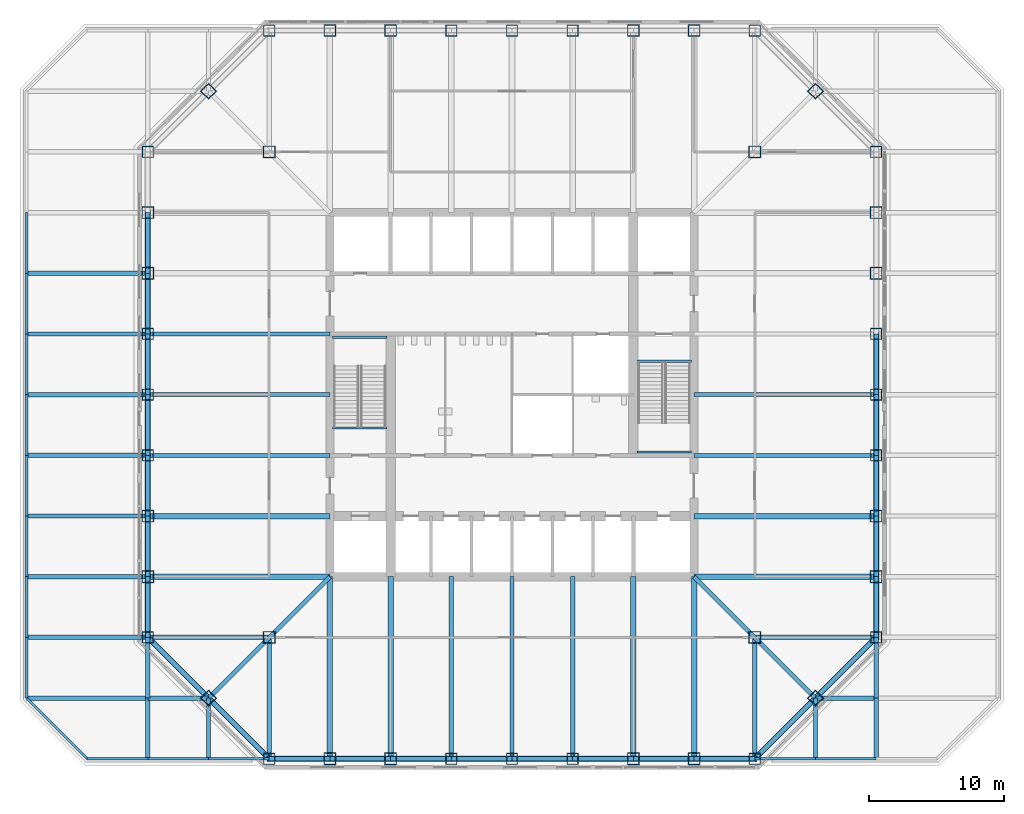
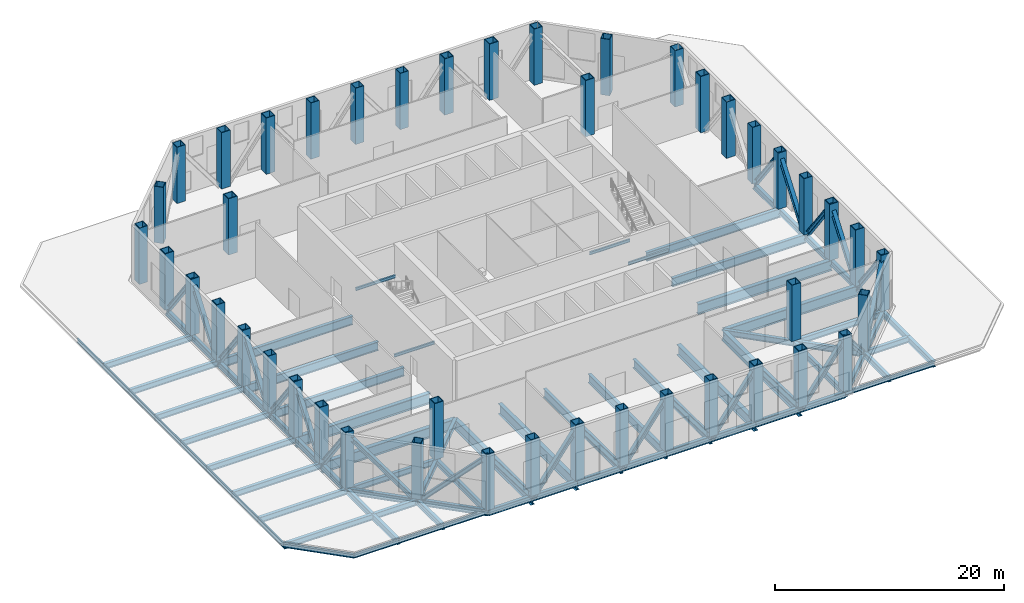
# One storey, part 1 of 10: 82 beams, 44 columns, 24 members.
"""IFC4 building model written with IfcOpenShell, lengths in metres."""

from ifc_helpers import new_model, si_unit, direction, frame, origin, origin_2d, place, context, subcontext, project, spatial, hollow_rectangle, i_section, extrude, material, material_profile, profile_set, type_object, element, save


model = new_model("IFC4")

# Units and contexts
model_context = context("Model", 3, precision=1e-05, world=origin(), true_north=direction((0.0, 1.0)))
body_context = subcontext(model_context, "Body", "Model", "MODEL_VIEW")
ifc_project = project(units=[si_unit("LENGTHUNIT", "METRE"), si_unit("AREAUNIT", "SQUARE_METRE"), si_unit("VOLUMEUNIT", "CUBIC_METRE"), si_unit("PLANEANGLEUNIT", "RADIAN"), si_unit("MASSUNIT", "GRAM", prefix="KILO")], contexts=[model_context])

# Site, building, storey
site_placement = place(None, origin())
site = spatial("IfcSite", under=ifc_project, at=site_placement, CompositionType="ELEMENT")
building_placement = place(site_placement, origin())
building = spatial("IfcBuilding", under=site, at=building_placement, Name="Corais Broadcast Tower", CompositionType="ELEMENT")
storey_placement = place(building_placement, frame((0.0, 0.0, 23.0)))
storey = spatial("IfcBuildingStorey", under=building, at=storey_placement, Name="L04", CompositionType="ELEMENT", Elevation=23.0)

# Columns
ifc_material_1 = material(Name="Steel ASTM A572 Grade 50", Category="steel")
ifc_material_profile_1 = material_profile(ifc_material_1, hollow_rectangle(XDim=0.85009765625, YDim=0.85009765625, WallThickness=0.050048828125, at=origin_2d()), Name="BOX 850x850x50")
ifc_profile_set_1 = profile_set([ifc_material_profile_1], Name="Steel ASTM A572 Grade 50")
column_type_1 = type_object("IfcColumnType", Name="Column BOX 850x850x50", PredefinedType="COLUMN", material=ifc_profile_set_1)
for number, where, z_axis, x_axis, name in (
    (1, (9.0, 0.0, 0.0), (0.0, 0.0, 1.0), (1.0, 0.0, 0.0), "C1 A/5"),
    (2, (22.5, 0.0, 0.0), (0.0, 0.0, 1.0), (1.0, 0.0, 0.0), "C1 A/8"),
    (3, (27.0, 0.0, 0.0), (0.0, 0.0, 1.0), (1.0, 0.0, 0.0), "C1 A/9"),
    (4, (31.5, 0.0, 0.0), (0.0, 0.0, 1.0), (1.0, 0.0, 0.0), "C1 A/10"),
    (5, (45.0, 0.0, 0.0), (0.0, 0.0, 1.0), (1.0, 0.0, 0.0), "C1 A/13"),
    (6, (54.0, 9.0, 0.0), (0.0, 0.0, 1.0), (1.0, 0.0, 0.0), "C1 C/15"),
    (7, (54.0, 22.5, 0.0), (0.0, 0.0, 1.0), (1.0, 0.0, 0.0), "C1 F/15"),
    (8, (54.0, 27.0, 0.0), (0.0, 0.0, 1.0), (1.0, 0.0, 0.0), "C1 G/15"),
    (9, (54.0, 31.5, 0.0), (0.0, 0.0, 1.0), (1.0, 0.0, 0.0), "C1 H/15"),
    (10, (54.0, 45.0, 0.0), (0.0, 0.0, 1.0), (1.0, 0.0, 0.0), "C1 L/15"),
    (11, (45.0, 54.0, 0.0), (0.0, 0.0, 1.0), (1.0, 0.0, 0.0), "C1 N/13"),
    (12, (31.5, 54.0, 0.0), (0.0, 0.0, 1.0), (1.0, 0.0, 0.0), "C1 N/10"),
    (13, (27.0, 54.0, 0.0), (0.0, 0.0, 1.0), (1.0, 0.0, 0.0), "C1 N/9"),
    (14, (22.5, 54.0, 0.0), (0.0, 0.0, 1.0), (1.0, 0.0, 0.0), "C1 N/8"),
    (15, (9.0, 54.0, 0.0), (0.0, 0.0, 1.0), (1.0, 0.0, 0.0), "C1 N/5"),
    (16, (0.0, 45.0, 0.0), (0.0, 0.0, 1.0), (1.0, 0.0, 0.0), "C1 L/3"),
    (17, (0.0, 31.5, 0.0), (0.0, 0.0, 1.0), (1.0, 0.0, 0.0), "C1 H/3"),
    (18, (0.0, 27.0, 0.0), (0.0, 0.0, 1.0), (1.0, 0.0, 0.0), "C1 G/3"),
    (19, (0.0, 22.5, 0.0), (0.0, 0.0, 1.0), (1.0, 0.0, 0.0), "C1 F/3"),
    (20, (0.0, 9.0, 0.0), (0.0, 0.0, 1.0), (1.0, 0.0, 0.0), "C1 C/3"),
    (21, (4.5, 4.5, 0.0), (0.0, 0.0, 1.0), (0.707106781187, 0.707106781187, 0.0), "C1 B/4"),
    (22, (49.5, 4.5, 0.0), (0.0, 0.0, 1.0), (0.707106781187, 0.707106781187, 0.0), "C1 B/14"),
    (23, (49.5, 49.5, 0.0), (0.0, 0.0, 1.0), (0.707106781187, 0.707106781187, 0.0), "C1 M/14"),
    (24, (4.5, 49.5, 0.0), (0.0, 0.0, 1.0), (0.707106781187, 0.707106781187, 0.0), "C1 M/4"),
):
    element("IfcColumn", number, at=place(storey_placement, frame(where, z_axis=z_axis, x_axis=x_axis)), inside=storey, type_object=column_type_1, Name=name, PredefinedType="COLUMN", context=body_context, shape_type="SweptSolid", body=[
        extrude(hollow_rectangle(XDim=0.85009765625, YDim=0.85009765625, WallThickness=0.050048828125, at=origin_2d()), origin(), (0.0, 0.0, 1.0), 6.0),
    ])
ifc_material_2 = material(Name="Steel ASTM A572 Grade 50", Category="steel")
ifc_material_profile_2 = material_profile(ifc_material_2, hollow_rectangle(XDim=0.89990234375, YDim=0.89990234375, WallThickness=0.06298828125, at=origin_2d()), Name="BOX 900x900x63")
ifc_profile_set_2 = profile_set([ifc_material_profile_2], Name="Steel ASTM A572 Grade 50")
column_type_2 = type_object("IfcColumnType", Name="Column BOX 900x900x63", PredefinedType="COLUMN", material=ifc_profile_set_2)
for number, where, z_axis, x_axis, name in (
    (25, (13.5, 0.0, 0.0), (0.0, 0.0, 1.0), (1.0, 0.0, 0.0), "C2 A/6"),
    (26, (18.0, 0.0, 0.0), (0.0, 0.0, 1.0), (1.0, 0.0, 0.0), "C2 A/7"),
    (27, (36.0, 0.0, 0.0), (0.0, 0.0, 1.0), (1.0, 0.0, 0.0), "C2 A/11"),
    (28, (40.5, 0.0, 0.0), (0.0, 0.0, 1.0), (1.0, 0.0, 0.0), "C2 A/12"),
    (29, (54.0, 13.5, 0.0), (0.0, 0.0, 1.0), (1.0, 0.0, 0.0), "C2 D/15"),
    (30, (54.0, 18.0, 0.0), (0.0, 0.0, 1.0), (1.0, 0.0, 0.0), "C2 E/15"),
    (31, (54.0, 36.0, 0.0), (0.0, 0.0, 1.0), (1.0, 0.0, 0.0), "C2 J/15"),
    (32, (54.0, 40.5, 0.0), (0.0, 0.0, 1.0), (1.0, 0.0, 0.0), "C2 K/15"),
    (33, (40.5, 54.0, 0.0), (0.0, 0.0, 1.0), (1.0, 0.0, 0.0), "C2 N/12"),
    (34, (36.0, 54.0, 0.0), (0.0, 0.0, 1.0), (1.0, 0.0, 0.0), "C2 N/11"),
    (35, (18.0, 54.0, 0.0), (0.0, 0.0, 1.0), (1.0, 0.0, 0.0), "C2 N/7"),
    (36, (13.5, 54.0, 0.0), (0.0, 0.0, 1.0), (1.0, 0.0, 0.0), "C2 N/6"),
    (37, (0.0, 40.5, 0.0), (0.0, 0.0, 1.0), (1.0, 0.0, 0.0), "C2 K/3"),
    (38, (0.0, 36.0, 0.0), (0.0, 0.0, 1.0), (1.0, 0.0, 0.0), "C2 J/3"),
    (39, (0.0, 18.0, 0.0), (0.0, 0.0, 1.0), (1.0, 0.0, 0.0), "C2 E/3"),
    (40, (0.0, 13.5, 0.0), (0.0, 0.0, 1.0), (1.0, 0.0, 0.0), "C2 D/3"),
    (41, (9.0, 9.0, 0.0), (0.0, 0.0, 1.0), (1.0, 0.0, 0.0), "C2 C/5"),
    (42, (45.0, 9.0, 0.0), (0.0, 0.0, 1.0), (1.0, 0.0, 0.0), "C2 C/13"),
    (43, (45.0, 45.0, 0.0), (0.0, 0.0, 1.0), (1.0, 0.0, 0.0), "C2 L/13"),
    (44, (9.0, 45.0, 0.0), (0.0, 0.0, 1.0), (1.0, 0.0, 0.0), "C2 L/5"),
):
    element("IfcColumn", number, at=place(storey_placement, frame(where, z_axis=z_axis, x_axis=x_axis)), inside=storey, type_object=column_type_2, Name=name, PredefinedType="COLUMN", context=body_context, shape_type="SweptSolid", body=[
        extrude(hollow_rectangle(XDim=0.89990234375, YDim=0.89990234375, WallThickness=0.06298828125, at=origin_2d()), origin(), (0.0, 0.0, 1.0), 6.0),
    ])

# Members
ifc_material_3 = material(Name="Steel ASTM A572 Grade 50", Category="steel")
ifc_material_profile_3 = material_profile(ifc_material_3, i_section(OverallWidth=0.404052734375, OverallDepth=0.406982421875, WebThickness=0.027099609375, FlangeThickness=0.043701171875, at=origin_2d()), Name="W360x347")
ifc_profile_set_3 = profile_set([ifc_material_profile_3], Name="Steel ASTM A572 Grade 50")
member_type = type_object("IfcMemberType", Name="Belt truss diagonal W360x347", PredefinedType="BRACE", material=ifc_profile_set_3)
for number, where, z_axis, x_axis, name in (
    (45, (0.0, 22.5, -0.517578125), (0.0, -0.597445358592, 0.801909623023), (1.0, 0.0, 0.0), "BD1 belt truss diagonal"),
    (46, (0.0, 13.5, -0.517578125), (0.0, 0.597445358592, 0.801909623023), (-1.0, 0.0, 0.0), "BD1 belt truss diagonal"),
    (47, (0.0, 13.5, -0.517578125), (0.0, -0.597445358592, 0.801909623023), (1.0, 0.0, 0.0), "BD1 belt truss diagonal"),
):
    element("IfcMember", number, at=place(storey_placement, frame(where, z_axis=z_axis, x_axis=x_axis)), inside=storey, type_object=member_type, Name=name, PredefinedType="BRACE", context=body_context, shape_type="SweptSolid", body=[
        extrude(i_section(OverallWidth=0.404052734375, OverallDepth=0.406982421875, WebThickness=0.027099609375, FlangeThickness=0.043701171875, at=origin_2d()), origin(), (0.0, 0.0, 1.0), 7.531982421875),
    ])
for number, where, z_axis, x_axis, name in (
    (48, (4.5, 4.5, -0.517578125), (-0.512882305449, 0.512882305449, 0.688406479861), (-0.707106781187, -0.707106781187, 0.0), "BD1 belt truss diagonal"),
    (49, (4.5, 4.5, -0.517578125), (0.512882305449, -0.512882305449, 0.688406479861), (0.707106781187, 0.707106781187, 0.0), "BD1 belt truss diagonal"),
):
    element("IfcMember", number, at=place(storey_placement, frame(where, z_axis=z_axis, x_axis=x_axis)), inside=storey, type_object=member_type, Name=name, PredefinedType="BRACE", context=body_context, shape_type="SweptSolid", body=[
        extrude(i_section(OverallWidth=0.404052734375, OverallDepth=0.406982421875, WebThickness=0.027099609375, FlangeThickness=0.043701171875, at=origin_2d()), origin(), (0.0, 0.0, 1.0), 8.77392578125),
    ])
for number, where, z_axis, x_axis, name in (
    (50, (13.5, 0.0, -0.517578125), (-0.597445358592, 0.0, 0.801909623023), (0.0, -1.0, 0.0), "BD1 belt truss diagonal"),
    (51, (13.5, 0.0, -0.517578125), (0.597445358592, 0.0, 0.801909623023), (0.0, 1.0, 0.0), "BD1 belt truss diagonal"),
    (52, (22.5, 0.0, -0.517578125), (-0.597445358592, 0.0, 0.801909623023), (0.0, -1.0, 0.0), "BD1 belt truss diagonal"),
    (53, (22.5, 0.0, -0.517578125), (0.597445358592, 0.0, 0.801909623023), (0.0, 1.0, 0.0), "BD1 belt truss diagonal"),
    (54, (31.5, 0.0, -0.517578125), (-0.597445358592, 0.0, 0.801909623023), (0.0, -1.0, 0.0), "BD1 belt truss diagonal"),
    (55, (31.5, 0.0, -0.517578125), (0.597445358592, 0.0, 0.801909623023), (0.0, 1.0, 0.0), "BD1 belt truss diagonal"),
    (56, (40.5, 0.0, -0.517578125), (-0.597445358592, 0.0, 0.801909623023), (0.0, -1.0, 0.0), "BD1 belt truss diagonal"),
    (57, (40.5, 0.0, -0.517578125), (0.597445358592, 0.0, 0.801909623023), (0.0, 1.0, 0.0), "BD1 belt truss diagonal"),
):
    element("IfcMember", number, at=place(storey_placement, frame(where, z_axis=z_axis, x_axis=x_axis)), inside=storey, type_object=member_type, Name=name, PredefinedType="BRACE", context=body_context, shape_type="SweptSolid", body=[
        extrude(i_section(OverallWidth=0.404052734375, OverallDepth=0.406982421875, WebThickness=0.027099609375, FlangeThickness=0.043701171875, at=origin_2d()), origin(), (0.0, 0.0, 1.0), 7.531982421875),
    ])
for number, where, z_axis, x_axis, name in (
    (58, (49.5, 4.5, -0.517578125), (-0.512882305449, -0.512882305449, 0.688406479861), (0.707106781187, -0.707106781187, 0.0), "BD1 belt truss diagonal"),
    (59, (49.5, 4.5, -0.517578125), (0.512882305449, 0.512882305449, 0.688406479861), (-0.707106781187, 0.707106781187, 0.0), "BD1 belt truss diagonal"),
):
    element("IfcMember", number, at=place(storey_placement, frame(where, z_axis=z_axis, x_axis=x_axis)), inside=storey, type_object=member_type, Name=name, PredefinedType="BRACE", context=body_context, shape_type="SweptSolid", body=[
        extrude(i_section(OverallWidth=0.404052734375, OverallDepth=0.406982421875, WebThickness=0.027099609375, FlangeThickness=0.043701171875, at=origin_2d()), origin(), (0.0, 0.0, 1.0), 8.77392578125),
    ])
for number, where, z_axis, x_axis, name in (
    (60, (54.0, 13.5, -0.517578125), (0.0, -0.597445358592, 0.801909623023), (1.0, 0.0, 0.0), "BD1 belt truss diagonal"),
    (61, (54.0, 13.5, -0.517578125), (0.0, 0.597445358592, 0.801909623023), (-1.0, 0.0, 0.0), "BD1 belt truss diagonal"),
    (62, (54.0, 22.5, -0.517578125), (0.0, -0.597445358592, 0.801909623023), (1.0, 0.0, 0.0), "BD1 belt truss diagonal"),
    (63, (54.0, 22.5, -0.517578125), (0.0, 0.597445358592, 0.801909623023), (-1.0, 0.0, 0.0), "BD1 belt truss diagonal"),
    (64, (54.0, 31.5, -0.517578125), (0.0, -0.597445358592, 0.801909623023), (1.0, 0.0, 0.0), "BD1 belt truss diagonal"),
    (65, (0.0, 40.5, -0.517578125), (0.0, -0.597445358592, 0.801909623023), (1.0, 0.0, 0.0), "BD1 belt truss diagonal"),
    (66, (0.0, 31.5, -0.517578125), (0.0, 0.597445358592, 0.801909623023), (-1.0, 0.0, 0.0), "BD1 belt truss diagonal"),
    (67, (0.0, 31.5, -0.517578125), (0.0, -0.597445358592, 0.801909623023), (1.0, 0.0, 0.0), "BD1 belt truss diagonal"),
    (68, (0.0, 22.5, -0.517578125), (0.0, 0.597445358592, 0.801909623023), (-1.0, 0.0, 0.0), "BD1 belt truss diagonal"),
):
    element("IfcMember", number, at=place(storey_placement, frame(where, z_axis=z_axis, x_axis=x_axis)), inside=storey, type_object=member_type, Name=name, PredefinedType="BRACE", context=body_context, shape_type="SweptSolid", body=[
        extrude(i_section(OverallWidth=0.404052734375, OverallDepth=0.406982421875, WebThickness=0.027099609375, FlangeThickness=0.043701171875, at=origin_2d()), origin(), (0.0, 0.0, 1.0), 7.531982421875),
    ])

# Beams
ifc_material_4 = material(Name="Steel ASTM A572 Grade 50", Category="steel")
ifc_material_profile_4 = material_profile(ifc_material_4, i_section(OverallWidth=0.323974609375, OverallDepth=0.611083984375, WebThickness=0.0126953125, FlangeThickness=0.01904296875, at=origin_2d()), Name="W610x155")
ifc_profile_set_4 = profile_set([ifc_material_profile_4], Name="Steel ASTM A572 Grade 50")
beam_type_1 = type_object("IfcBeamType", Name="Chamfer tie W610x155", PredefinedType="BEAM", material=ifc_profile_set_4)
for number, where, z_axis, x_axis, name in (
    (69, (0.0, 0.0, -0.505615234375), (0.0, 1.0, 0.0), (-1.0, 0.0, 0.0), "B5 A/3 to B/3"),
    (70, (0.0, 4.5, -0.505615234375), (0.0, 1.0, 0.0), (-1.0, 0.0, 0.0), "B5 B/3 to C/3"),
    (71, (0.0, 4.5, -0.505615234375), (1.0, 0.0, 0.0), (0.0, 1.0, 0.0), "B5 B/3 to B/4"),
    (72, (4.5, 0.0, -0.505615234375), (0.0, 1.0, 0.0), (-1.0, 0.0, 0.0), "B5 A/4 to B/4"),
):
    element("IfcBeam", number, at=place(storey_placement, frame(where, z_axis=z_axis, x_axis=x_axis)), inside=storey, type_object=beam_type_1, Name=name, PredefinedType="BEAM", context=body_context, shape_type="SweptSolid", body=[
        extrude(i_section(OverallWidth=0.323974609375, OverallDepth=0.611083984375, WebThickness=0.0126953125, FlangeThickness=0.01904296875, at=origin_2d()), origin(), (0.0, 0.0, 1.0), 4.5),
    ])
beam_1_placement = place(storey_placement, frame((4.5, 4.5, -0.505615234375), z_axis=(0.707106781187, 0.707106781187, 0.0), x_axis=(-0.707106781187, 0.707106781187, 0.0)))
element("IfcBeam", 73, at=beam_1_placement, inside=storey, type_object=beam_type_1, Name="B5 B/4 to C/5", PredefinedType="BEAM", context=body_context, shape_type="SweptSolid", body=[
    extrude(i_section(OverallWidth=0.323974609375, OverallDepth=0.611083984375, WebThickness=0.0126953125, FlangeThickness=0.01904296875, at=origin_2d()), origin(), (0.0, 0.0, 1.0), 6.364013671875),
])
beam_2_placement = place(storey_placement, frame((49.5, 0.0, -0.505615234375), z_axis=(0.0, 1.0, 0.0), x_axis=(-1.0, 0.0, 0.0)))
element("IfcBeam", 74, at=beam_2_placement, inside=storey, type_object=beam_type_1, Name="B5 A/14 to B/14", PredefinedType="BEAM", context=body_context, shape_type="SweptSolid", body=[
    extrude(i_section(OverallWidth=0.323974609375, OverallDepth=0.611083984375, WebThickness=0.0126953125, FlangeThickness=0.01904296875, at=origin_2d()), origin(), (0.0, 0.0, 1.0), 4.5),
])
beam_3_placement = place(storey_placement, frame((49.5, 4.5, -0.505615234375), z_axis=(-0.707106781187, 0.707106781187, 0.0), x_axis=(-0.707106781187, -0.707106781187, 0.0)))
element("IfcBeam", 75, at=beam_3_placement, inside=storey, type_object=beam_type_1, Name="B5 B/14 to C/13", PredefinedType="BEAM", context=body_context, shape_type="SweptSolid", body=[
    extrude(i_section(OverallWidth=0.323974609375, OverallDepth=0.611083984375, WebThickness=0.0126953125, FlangeThickness=0.01904296875, at=origin_2d()), origin(), (0.0, 0.0, 1.0), 6.364013671875),
])
for number, where, z_axis, x_axis, name in (
    (76, (54.0, 0.0, -0.505615234375), (0.0, 1.0, 0.0), (-1.0, 0.0, 0.0), "B5 A/15 to B/15"),
    (77, (54.0, 4.5, -0.505615234375), (-1.0, 0.0, 0.0), (0.0, -1.0, 0.0), "B5 B/15 to B/14"),
    (78, (54.0, 4.5, -0.505615234375), (0.0, 1.0, 0.0), (-1.0, 0.0, 0.0), "B5 B/15 to C/15"),
):
    element("IfcBeam", number, at=place(storey_placement, frame(where, z_axis=z_axis, x_axis=x_axis)), inside=storey, type_object=beam_type_1, Name=name, PredefinedType="BEAM", context=body_context, shape_type="SweptSolid", body=[
        extrude(i_section(OverallWidth=0.323974609375, OverallDepth=0.611083984375, WebThickness=0.0126953125, FlangeThickness=0.01904296875, at=origin_2d()), origin(), (0.0, 0.0, 1.0), 4.5),
    ])
ifc_material_5 = material(Name="Steel ASTM A572 Grade 50", Category="steel")
ifc_material_profile_5 = material_profile(ifc_material_5, i_section(OverallWidth=0.405029296875, OverallDepth=1.117919921875, WebThickness=0.02197265625, FlangeThickness=0.0400390625, at=origin_2d()), Name="W1100x433")
ifc_profile_set_5 = profile_set([ifc_material_profile_5], Name="Steel ASTM A572 Grade 50")
beam_type_2 = type_object("IfcBeamType", Name="Collector beam W1100x433", PredefinedType="BEAM", material=ifc_profile_set_5)
for number, where, z_axis, x_axis, name in (
    (79, (0.0, 13.5, -0.759033203125), (1.0, 0.0, 0.0), (0.0, 1.0, 0.0), "B16 D/3 to D/6"),
    (80, (0.0, 18.0, -0.759033203125), (1.0, 0.0, 0.0), (0.0, 1.0, 0.0), "B16 E/3 to E/6"),
    (81, (13.5, 0.0, -0.759033203125), (0.0, 1.0, 0.0), (-1.0, 0.0, 0.0), "B16 A/6 to D/6"),
    (82, (18.0, 0.0, -0.759033203125), (0.0, 1.0, 0.0), (-1.0, 0.0, 0.0), "B16 A/7 to D/7"),
    (83, (36.0, 0.0, -0.759033203125), (0.0, 1.0, 0.0), (-1.0, 0.0, 0.0), "B16 A/11 to D/11"),
    (84, (40.5, 0.0, -0.759033203125), (0.0, 1.0, 0.0), (-1.0, 0.0, 0.0), "B16 A/12 to D/12"),
    (85, (54.0, 13.5, -0.759033203125), (-1.0, 0.0, 0.0), (0.0, -1.0, 0.0), "B16 D/15 to D/12"),
    (86, (54.0, 18.0, -0.759033203125), (-1.0, 0.0, 0.0), (0.0, -1.0, 0.0), "B16 E/15 to E/12"),
):
    element("IfcBeam", number, at=place(storey_placement, frame(where, z_axis=z_axis, x_axis=x_axis)), inside=storey, type_object=beam_type_2, Name=name, PredefinedType="BEAM", context=body_context, shape_type="SweptSolid", body=[
        extrude(i_section(OverallWidth=0.405029296875, OverallDepth=1.117919921875, WebThickness=0.02197265625, FlangeThickness=0.0400390625, at=origin_2d()), origin(), (0.0, 0.0, 1.0), 13.5),
    ])
ifc_material_6 = material(Name="Steel ASTM A572 Grade 50", Category="steel")
ifc_material_profile_6 = material_profile(ifc_material_6, i_section(OverallWidth=0.323974609375, OverallDepth=0.611083984375, WebThickness=0.0126953125, FlangeThickness=0.01904296875, at=origin_2d()), Name="W610x155")
ifc_profile_set_6 = profile_set([ifc_material_profile_6], Name="Steel ASTM A572 Grade 50")
beam_type_3 = type_object("IfcBeamType", Name="Corner diagonal W610x155", PredefinedType="BEAM", material=ifc_profile_set_6)
for number, where, z_axis, x_axis, name in (
    (87, (45.0, 9.0, -0.505615234375), (-0.707106781187, 0.707106781187, 0.0), (-0.707106781187, -0.707106781187, 0.0), "B6 C/13 to D/12"),
    (88, (9.0, 9.0, -0.505615234375), (0.707106781187, 0.707106781187, 0.0), (-0.707106781187, 0.707106781187, 0.0), "B6 C/5 to D/6"),
):
    element("IfcBeam", number, at=place(storey_placement, frame(where, z_axis=z_axis, x_axis=x_axis)), inside=storey, type_object=beam_type_3, Name=name, PredefinedType="BEAM", context=body_context, shape_type="SweptSolid", body=[
        extrude(i_section(OverallWidth=0.323974609375, OverallDepth=0.611083984375, WebThickness=0.0126953125, FlangeThickness=0.01904296875, at=origin_2d()), origin(), (0.0, 0.0, 1.0), 6.364013671875),
    ])
ifc_material_7 = material(Name="Steel ASTM A572 Grade 50", Category="steel")
ifc_material_profile_7 = material_profile(ifc_material_7, i_section(OverallWidth=0.323974609375, OverallDepth=0.611083984375, WebThickness=0.0126953125, FlangeThickness=0.01904296875, at=origin_2d()), Name="W610x155")
ifc_profile_set_7 = profile_set([ifc_material_profile_7], Name="Steel ASTM A572 Grade 50")
beam_type_4 = type_object("IfcBeamType", Name="Corner girder W610x155", PredefinedType="BEAM", material=ifc_profile_set_7)
for number, where, z_axis, x_axis, name in (
    (89, (0.0, 9.0, -0.505615234375), (1.0, 0.0, 0.0), (0.0, 1.0, 0.0), "B4 C/3 to C/5"),
    (90, (45.0, 0.0, -0.505615234375), (0.0, 1.0, 0.0), (-1.0, 0.0, 0.0), "B4 A/13 to C/13"),
    (91, (54.0, 9.0, -0.505615234375), (-1.0, 0.0, 0.0), (0.0, -1.0, 0.0), "B4 C/15 to C/13"),
    (92, (9.0, 0.0, -0.505615234375), (0.0, 1.0, 0.0), (-1.0, 0.0, 0.0), "B4 A/5 to C/5"),
):
    element("IfcBeam", number, at=place(storey_placement, frame(where, z_axis=z_axis, x_axis=x_axis)), inside=storey, type_object=beam_type_4, Name=name, PredefinedType="BEAM", context=body_context, shape_type="SweptSolid", body=[
        extrude(i_section(OverallWidth=0.323974609375, OverallDepth=0.611083984375, WebThickness=0.0126953125, FlangeThickness=0.01904296875, at=origin_2d()), origin(), (0.0, 0.0, 1.0), 9.0),
    ])
ifc_material_8 = material(Name="Steel ASTM A572 Grade 50", Category="steel")
ifc_material_profile_8 = material_profile(ifc_material_8, i_section(OverallWidth=0.1650390625, OverallDepth=0.31005859375, WebThickness=0.005859375, FlangeThickness=0.009765625, at=origin_2d()), Name="W310x38.7")
ifc_profile_set_8 = profile_set([ifc_material_profile_8], Name="Steel ASTM A572 Grade 50")
beam_type_5 = type_object("IfcBeamType", Name="Landing trimmer W310x38.7", PredefinedType="BEAM", material=ifc_profile_set_8)
for number, where, z_axis, x_axis, name in (
    (93, (13.699951171875, 24.52490234375, -0.35498046875), (1.0, 0.0, 0.0), (0.0, 1.0, 0.0), "LT1 stair A landing trimmer L04"),
    (94, (13.699951171875, 31.260009765625, 2.64501953125), (1.0, 0.0, 0.0), (0.0, 1.0, 0.0), "LT1 stair A half landing trimmer L04"),
    (95, (36.25, 29.47509765625, -0.35498046875), (1.0, 0.0, 0.0), (0.0, 1.0, 0.0), "LT1 stair B landing trimmer L04"),
    (96, (36.25, 22.739990234375, 2.64501953125), (1.0, 0.0, 0.0), (0.0, 1.0, 0.0), "LT1 stair B half landing trimmer L04"),
):
    element("IfcBeam", number, at=place(storey_placement, frame(where, z_axis=z_axis, x_axis=x_axis)), inside=storey, type_object=beam_type_5, Name=name, PredefinedType="BEAM", context=body_context, shape_type="SweptSolid", body=[
        extrude(i_section(OverallWidth=0.1650390625, OverallDepth=0.31005859375, WebThickness=0.005859375, FlangeThickness=0.009765625, at=origin_2d()), origin(), (0.0, 0.0, 1.0), 4.050048828125),
    ])
ifc_material_9 = material(Name="Steel ASTM A572 Grade 50", Category="steel")
ifc_material_profile_9 = material_profile(ifc_material_9, i_section(OverallWidth=0.30908203125, OverallDepth=0.931884765625, WebThickness=0.02099609375, FlangeThickness=0.034423828125, at=origin_2d()), Name="W920x313")
ifc_profile_set_9 = profile_set([ifc_material_profile_9], Name="Steel ASTM A572 Grade 50")
beam_type_6 = type_object("IfcBeamType", Name="Plant floor beam W920x313", PredefinedType="BEAM", material=ifc_profile_set_9)
for number, where, z_axis, x_axis, name in (
    (97, (0.0, 22.5, -0.666015625), (1.0, 0.0, 0.0), (0.0, 1.0, 0.0), "B17 F/3 to F/6"),
    (98, (0.0, 27.0, -0.666015625), (1.0, 0.0, 0.0), (0.0, 1.0, 0.0), "B17 G/3 to G/6"),
    (99, (0.0, 31.5, -0.666015625), (1.0, 0.0, 0.0), (0.0, 1.0, 0.0), "B17 H/3 to H/6"),
    (100, (22.5, 0.0, -0.666015625), (0.0, 1.0, 0.0), (-1.0, 0.0, 0.0), "B17 A/8 to D/8"),
    (101, (27.0, 0.0, -0.666015625), (0.0, 1.0, 0.0), (-1.0, 0.0, 0.0), "B17 A/9 to D/9"),
    (102, (31.5, 0.0, -0.666015625), (0.0, 1.0, 0.0), (-1.0, 0.0, 0.0), "B17 A/10 to D/10"),
    (103, (54.0, 22.5, -0.666015625), (-1.0, 0.0, 0.0), (0.0, -1.0, 0.0), "B17 F/15 to F/12"),
    (104, (54.0, 27.0, -0.666015625), (-1.0, 0.0, 0.0), (0.0, -1.0, 0.0), "B17 G/15 to G/12"),
):
    element("IfcBeam", number, at=place(storey_placement, frame(where, z_axis=z_axis, x_axis=x_axis)), inside=storey, type_object=beam_type_6, Name=name, PredefinedType="BEAM", context=body_context, shape_type="SweptSolid", body=[
        extrude(i_section(OverallWidth=0.30908203125, OverallDepth=0.931884765625, WebThickness=0.02099609375, FlangeThickness=0.034423828125, at=origin_2d()), origin(), (0.0, 0.0, 1.0), 13.5),
    ])
ifc_material_10 = material(Name="Steel ASTM A572 Grade 50", Category="steel")
ifc_material_profile_10 = material_profile(ifc_material_10, i_section(OverallWidth=0.3291015625, OverallDepth=0.635009765625, WebThickness=0.017822265625, FlangeThickness=0.031005859375, at=origin_2d()), Name="W610x241")
ifc_profile_set_10 = profile_set([ifc_material_profile_10], Name="Steel ASTM A572 Grade 50")
beam_type_7 = type_object("IfcBeamType", Name="Spandrel W610x241", PredefinedType="BEAM", material=ifc_profile_set_10)
for number, where, z_axis, x_axis, name in (
    (105, (0.0, 13.5, -0.517578125), (0.0, -1.0, 0.0), (1.0, 0.0, 0.0), "SB1 D/3 to C/3"),
    (106, (0.0, 18.0, -0.517578125), (0.0, -1.0, 0.0), (1.0, 0.0, 0.0), "SB1 E/3 to D/3"),
    (107, (0.0, 22.5, -0.517578125), (0.0, -1.0, 0.0), (1.0, 0.0, 0.0), "SB1 F/3 to E/3"),
    (108, (0.0, 27.0, -0.517578125), (0.0, -1.0, 0.0), (1.0, 0.0, 0.0), "SB1 G/3 to F/3"),
    (109, (0.0, 31.5, -0.517578125), (0.0, -1.0, 0.0), (1.0, 0.0, 0.0), "SB1 H/3 to G/3"),
    (110, (0.0, 36.0, -0.517578125), (0.0, -1.0, 0.0), (1.0, 0.0, 0.0), "SB1 J/3 to H/3"),
    (111, (0.0, 40.5, -0.517578125), (0.0, -1.0, 0.0), (1.0, 0.0, 0.0), "SB1 K/3 to J/3"),
):
    element("IfcBeam", number, at=place(storey_placement, frame(where, z_axis=z_axis, x_axis=x_axis)), inside=storey, type_object=beam_type_7, Name=name, PredefinedType="BEAM", context=body_context, shape_type="SweptSolid", body=[
        extrude(i_section(OverallWidth=0.3291015625, OverallDepth=0.635009765625, WebThickness=0.017822265625, FlangeThickness=0.031005859375, at=origin_2d()), origin(), (0.0, 0.0, 1.0), 4.5),
    ])
beam_4_placement = place(storey_placement, frame((0.0, 9.0, -0.517578125), z_axis=(0.707106781187, -0.707106781187, 0.0), x_axis=(0.707106781187, 0.707106781187, 0.0)))
element("IfcBeam", 112, at=beam_4_placement, inside=storey, type_object=beam_type_7, Name="SB1 C/3 to B/4", PredefinedType="BEAM", context=body_context, shape_type="SweptSolid", body=[
    extrude(i_section(OverallWidth=0.3291015625, OverallDepth=0.635009765625, WebThickness=0.017822265625, FlangeThickness=0.031005859375, at=origin_2d()), origin(), (0.0, 0.0, 1.0), 6.364013671875),
])
for number, where, z_axis, x_axis, name in (
    (113, (13.5, 0.0, -0.517578125), (1.0, 0.0, 0.0), (0.0, 1.0, 0.0), "SB1 A/6 to A/7"),
    (114, (18.0, 0.0, -0.517578125), (1.0, 0.0, 0.0), (0.0, 1.0, 0.0), "SB1 A/7 to A/8"),
    (115, (22.5, 0.0, -0.517578125), (1.0, 0.0, 0.0), (0.0, 1.0, 0.0), "SB1 A/8 to A/9"),
    (116, (27.0, 0.0, -0.517578125), (1.0, 0.0, 0.0), (0.0, 1.0, 0.0), "SB1 A/9 to A/10"),
    (117, (31.5, 0.0, -0.517578125), (1.0, 0.0, 0.0), (0.0, 1.0, 0.0), "SB1 A/10 to A/11"),
    (118, (36.0, 0.0, -0.517578125), (1.0, 0.0, 0.0), (0.0, 1.0, 0.0), "SB1 A/11 to A/12"),
):
    element("IfcBeam", number, at=place(storey_placement, frame(where, z_axis=z_axis, x_axis=x_axis)), inside=storey, type_object=beam_type_7, Name=name, PredefinedType="BEAM", context=body_context, shape_type="SweptSolid", body=[
        extrude(i_section(OverallWidth=0.3291015625, OverallDepth=0.635009765625, WebThickness=0.017822265625, FlangeThickness=0.031005859375, at=origin_2d()), origin(), (0.0, 0.0, 1.0), 4.5),
    ])
beam_5_placement = place(storey_placement, frame((4.5, 4.5, -0.517578125), z_axis=(0.707106781187, -0.707106781187, 0.0), x_axis=(0.707106781187, 0.707106781187, 0.0)))
element("IfcBeam", 119, at=beam_5_placement, inside=storey, type_object=beam_type_7, Name="SB1 B/4 to A/5", PredefinedType="BEAM", context=body_context, shape_type="SweptSolid", body=[
    extrude(i_section(OverallWidth=0.3291015625, OverallDepth=0.635009765625, WebThickness=0.017822265625, FlangeThickness=0.031005859375, at=origin_2d()), origin(), (0.0, 0.0, 1.0), 6.364013671875),
])
beam_6_placement = place(storey_placement, frame((40.5, 0.0, -0.517578125), z_axis=(1.0, 0.0, 0.0), x_axis=(0.0, 1.0, 0.0)))
element("IfcBeam", 120, at=beam_6_placement, inside=storey, type_object=beam_type_7, Name="SB1 A/12 to A/13", PredefinedType="BEAM", context=body_context, shape_type="SweptSolid", body=[
    extrude(i_section(OverallWidth=0.3291015625, OverallDepth=0.635009765625, WebThickness=0.017822265625, FlangeThickness=0.031005859375, at=origin_2d()), origin(), (0.0, 0.0, 1.0), 4.5),
])
for number, where, z_axis, x_axis, name in (
    (121, (45.0, 0.0, -0.517578125), (0.707106781187, 0.707106781187, 0.0), (-0.707106781187, 0.707106781187, 0.0), "SB1 A/13 to B/14"),
    (122, (49.5, 4.5, -0.517578125), (0.707106781187, 0.707106781187, 0.0), (-0.707106781187, 0.707106781187, 0.0), "SB1 B/14 to C/15"),
):
    element("IfcBeam", number, at=place(storey_placement, frame(where, z_axis=z_axis, x_axis=x_axis)), inside=storey, type_object=beam_type_7, Name=name, PredefinedType="BEAM", context=body_context, shape_type="SweptSolid", body=[
        extrude(i_section(OverallWidth=0.3291015625, OverallDepth=0.635009765625, WebThickness=0.017822265625, FlangeThickness=0.031005859375, at=origin_2d()), origin(), (0.0, 0.0, 1.0), 6.364013671875),
    ])
for number, where, z_axis, x_axis, name in (
    (123, (54.0, 13.5, -0.517578125), (0.0, 1.0, 0.0), (-1.0, 0.0, 0.0), "SB1 D/15 to E/15"),
    (124, (54.0, 18.0, -0.517578125), (0.0, 1.0, 0.0), (-1.0, 0.0, 0.0), "SB1 E/15 to F/15"),
    (125, (54.0, 22.5, -0.517578125), (0.0, 1.0, 0.0), (-1.0, 0.0, 0.0), "SB1 F/15 to G/15"),
    (126, (54.0, 27.0, -0.517578125), (0.0, 1.0, 0.0), (-1.0, 0.0, 0.0), "SB1 G/15 to H/15"),
    (127, (54.0, 9.0, -0.517578125), (0.0, 1.0, 0.0), (-1.0, 0.0, 0.0), "SB1 C/15 to D/15"),
    (128, (9.0, 0.0, -0.517578125), (1.0, 0.0, 0.0), (0.0, 1.0, 0.0), "SB1 A/5 to A/6"),
):
    element("IfcBeam", number, at=place(storey_placement, frame(where, z_axis=z_axis, x_axis=x_axis)), inside=storey, type_object=beam_type_7, Name=name, PredefinedType="BEAM", context=body_context, shape_type="SweptSolid", body=[
        extrude(i_section(OverallWidth=0.3291015625, OverallDepth=0.635009765625, WebThickness=0.017822265625, FlangeThickness=0.031005859375, at=origin_2d()), origin(), (0.0, 0.0, 1.0), 4.5),
    ])
ifc_material_11 = material(Name="Steel ASTM A572 Grade 50", Category="steel")
ifc_material_profile_11 = material_profile(ifc_material_11, i_section(OverallWidth=0.18994140625, OverallDepth=0.45703125, WebThickness=0.009033203125, FlangeThickness=0.014404296875, at=origin_2d()), Name="W460x74")
ifc_profile_set_11 = profile_set([ifc_material_profile_11], Name="Steel ASTM A572 Grade 50")
beam_type_8 = type_object("IfcBeamType", Name="Wing edge beam W460x74", PredefinedType="BEAM", material=ifc_profile_set_11)
for number, where, z_axis, x_axis, name in (
    (129, (-4.5, 0.0, -0.428466796875), (1.0, 0.0, 0.0), (0.0, 1.0, 0.0), "B7 A/2 to A/3"),
    (130, (-9.0, 13.5, -0.428466796875), (0.0, -1.0, 0.0), (1.0, 0.0, 0.0), "B7 D/1 to C/1"),
    (131, (-9.0, 18.0, -0.428466796875), (0.0, -1.0, 0.0), (1.0, 0.0, 0.0), "B7 E/1 to D/1"),
    (132, (-9.0, 22.5, -0.428466796875), (0.0, -1.0, 0.0), (1.0, 0.0, 0.0), "B7 F/1 to E/1"),
    (133, (-9.0, 27.0, -0.428466796875), (0.0, -1.0, 0.0), (1.0, 0.0, 0.0), "B7 G/1 to F/1"),
    (134, (-9.0, 31.5, -0.428466796875), (0.0, -1.0, 0.0), (1.0, 0.0, 0.0), "B7 H/1 to G/1"),
    (135, (-9.0, 36.0, -0.428466796875), (0.0, -1.0, 0.0), (1.0, 0.0, 0.0), "B7 J/1 to H/1"),
):
    element("IfcBeam", number, at=place(storey_placement, frame(where, z_axis=z_axis, x_axis=x_axis)), inside=storey, type_object=beam_type_8, Name=name, PredefinedType="BEAM", context=body_context, shape_type="SweptSolid", body=[
        extrude(i_section(OverallWidth=0.18994140625, OverallDepth=0.45703125, WebThickness=0.009033203125, FlangeThickness=0.014404296875, at=origin_2d()), origin(), (0.0, 0.0, 1.0), 4.5),
    ])
beam_7_placement = place(storey_placement, frame((-9.0, 4.5, -0.428466796875), z_axis=(0.707106781187, -0.707106781187, 0.0), x_axis=(0.707106781187, 0.707106781187, 0.0)))
element("IfcBeam", 136, at=beam_7_placement, inside=storey, type_object=beam_type_8, Name="B7 B/1 to A/2", PredefinedType="BEAM", context=body_context, shape_type="SweptSolid", body=[
    extrude(i_section(OverallWidth=0.18994140625, OverallDepth=0.45703125, WebThickness=0.009033203125, FlangeThickness=0.014404296875, at=origin_2d()), origin(), (0.0, 0.0, 1.0), 6.364013671875),
])
for number, where, z_axis, x_axis, name in (
    (137, (-9.0, 40.5, -0.428466796875), (0.0, -1.0, 0.0), (1.0, 0.0, 0.0), "B7 K/1 to J/1"),
    (138, (-9.0, 9.0, -0.428466796875), (0.0, -1.0, 0.0), (1.0, 0.0, 0.0), "B7 C/1 to B/1"),
    (139, (0.0, 0.0, -0.428466796875), (1.0, 0.0, 0.0), (0.0, 1.0, 0.0), "B7 A/3 to A/4"),
    (140, (4.5, 0.0, -0.428466796875), (1.0, 0.0, 0.0), (0.0, 1.0, 0.0), "B7 A/4 to A/5"),
    (141, (45.0, 0.0, -0.428466796875), (1.0, 0.0, 0.0), (0.0, 1.0, 0.0), "B7 A/13 to A/14"),
    (142, (49.5, 0.0, -0.428466796875), (1.0, 0.0, 0.0), (0.0, 1.0, 0.0), "B7 A/14 to A/15"),
):
    element("IfcBeam", number, at=place(storey_placement, frame(where, z_axis=z_axis, x_axis=x_axis)), inside=storey, type_object=beam_type_8, Name=name, PredefinedType="BEAM", context=body_context, shape_type="SweptSolid", body=[
        extrude(i_section(OverallWidth=0.18994140625, OverallDepth=0.45703125, WebThickness=0.009033203125, FlangeThickness=0.014404296875, at=origin_2d()), origin(), (0.0, 0.0, 1.0), 4.5),
    ])
ifc_material_12 = material(Name="Steel ASTM A572 Grade 50", Category="steel")
ifc_material_profile_12 = material_profile(ifc_material_12, i_section(OverallWidth=0.323974609375, OverallDepth=0.611083984375, WebThickness=0.0126953125, FlangeThickness=0.01904296875, at=origin_2d()), Name="W610x155")
ifc_profile_set_12 = profile_set([ifc_material_profile_12], Name="Steel ASTM A572 Grade 50")
beam_type_9 = type_object("IfcBeamType", Name="Wing girder W610x155", PredefinedType="BEAM", material=ifc_profile_set_12)
for number, where, z_axis, x_axis, name in (
    (143, (-9.0, 13.5, -0.505615234375), (1.0, 0.0, 0.0), (0.0, 1.0, 0.0), "B11 D/1 to D/3"),
    (144, (-9.0, 18.0, -0.505615234375), (1.0, 0.0, 0.0), (0.0, 1.0, 0.0), "B11 E/1 to E/3"),
    (145, (-9.0, 22.5, -0.505615234375), (1.0, 0.0, 0.0), (0.0, 1.0, 0.0), "B11 F/1 to F/3"),
    (146, (-9.0, 27.0, -0.505615234375), (1.0, 0.0, 0.0), (0.0, 1.0, 0.0), "B11 G/1 to G/3"),
    (147, (-9.0, 31.5, -0.505615234375), (1.0, 0.0, 0.0), (0.0, 1.0, 0.0), "B11 H/1 to H/3"),
    (148, (-9.0, 36.0, -0.505615234375), (1.0, 0.0, 0.0), (0.0, 1.0, 0.0), "B11 J/1 to J/3"),
    (149, (-9.0, 4.5, -0.505615234375), (1.0, 0.0, 0.0), (0.0, 1.0, 0.0), "B11 B/1 to B/3"),
    (150, (-9.0, 9.0, -0.505615234375), (1.0, 0.0, 0.0), (0.0, 1.0, 0.0), "B11 C/1 to C/3"),
):
    element("IfcBeam", number, at=place(storey_placement, frame(where, z_axis=z_axis, x_axis=x_axis)), inside=storey, type_object=beam_type_9, Name=name, PredefinedType="BEAM", context=body_context, shape_type="SweptSolid", body=[
        extrude(i_section(OverallWidth=0.323974609375, OverallDepth=0.611083984375, WebThickness=0.0126953125, FlangeThickness=0.01904296875, at=origin_2d()), origin(), (0.0, 0.0, 1.0), 9.0),
    ])

save(model, "model.ifc")
